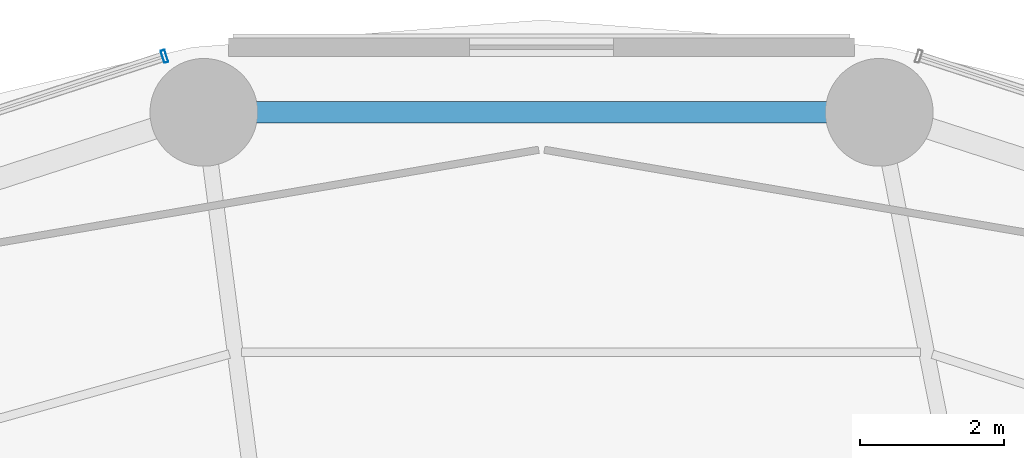
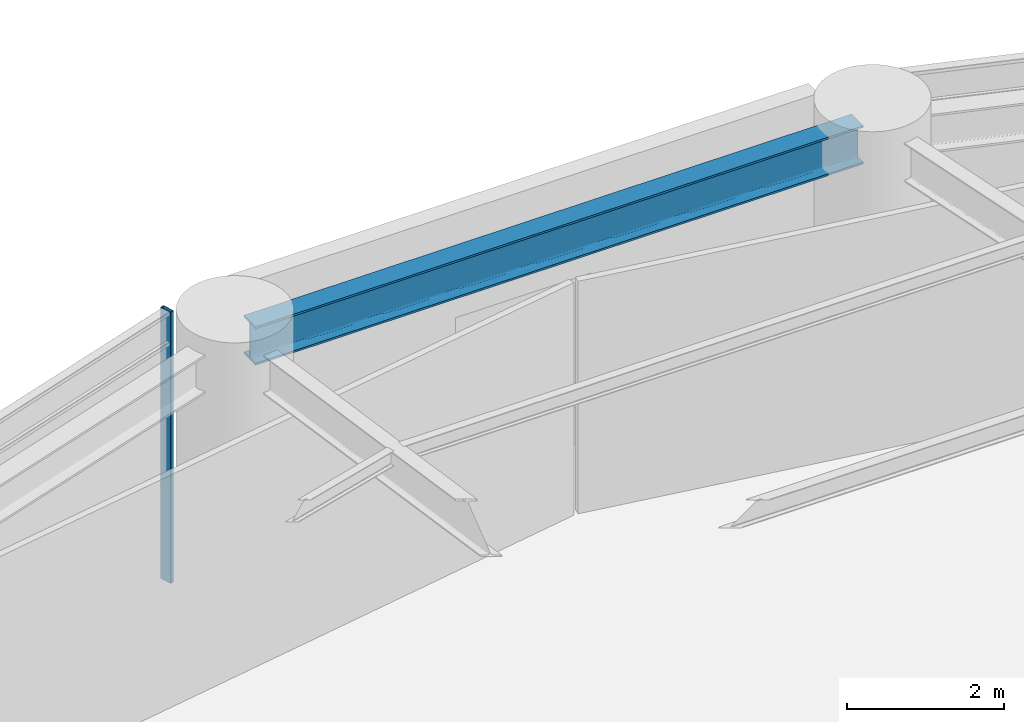
# One storey, part 28 of 46: 1 beam, 1 member, 1 element without a shape of its own.
"""IFC4 building model written with IfcOpenShell, lengths in metres."""

from ifc_helpers import new_model, si_unit, direction, frame, origin, origin_2d, place, context, subcontext, project, spatial, hollow_rectangle, i_section, extrude, material, layer, layer_set, material_profile, profile_set, type_object, element, aggregate, save


model = new_model("IFC4")

# Units and contexts
model_context = context("Model", 3, precision=1e-05, world=origin(), true_north=direction((0.0, 1.0)))
body_context = subcontext(model_context, "Body", "Model", "MODEL_VIEW")
ifc_project = project(units=[si_unit("LENGTHUNIT", "METRE"), si_unit("AREAUNIT", "SQUARE_METRE"), si_unit("VOLUMEUNIT", "CUBIC_METRE"), si_unit("PLANEANGLEUNIT", "RADIAN"), si_unit("MASSUNIT", "GRAM", prefix="KILO")], contexts=[model_context])

# Site, building, storey
site_placement = place(None, origin())
site = spatial("IfcSite", under=ifc_project, at=site_placement, CompositionType="ELEMENT")
building_placement = place(site_placement, origin())
building = spatial("IfcBuilding", under=site, at=building_placement, Name="Kelanora Arch Commons", CompositionType="ELEMENT")
storey_placement = place(building_placement, frame((0.0, 0.0, 18.0)))
storey = spatial("IfcBuildingStorey", under=building, at=storey_placement, Name="L04", CompositionType="ELEMENT", Elevation=18.0)

# Beam
ifc_material_1 = material(Name="Steel S355", Category="steel")
ifc_material_profile_1 = material_profile(ifc_material_1, i_section(OverallWidth=0.300048828125, OverallDepth=0.60009765625, WebThickness=0.015380859375, FlangeThickness=0.030029296875, FilletRadius=0.027099609375, at=origin_2d()), Name="HEB600")
ifc_profile_set_1 = profile_set([ifc_material_profile_1], Name="Steel S355")
beam_type = type_object("IfcBeamType", Name="BM-SPN-Z1", PredefinedType="SPANDREL", material=ifc_profile_set_1)
beam_placement = place(storey_placement, frame((78.482421875, 81.714111328125, 3.93994140625), z_axis=(-1.0, 0.0, 0.0), x_axis=(0.0, -1.0, 0.0)))
element("IfcBeam", 1, at=beam_placement, inside=storey, type_object=beam_type, Name="Perimeter Spandrel Beam BS-08 L04", PredefinedType="SPANDREL", context=body_context, shape_type="SweptSolid", body=[
    extrude(i_section(OverallWidth=0.300048828125, OverallDepth=0.60009765625, WebThickness=0.015380859375, FlangeThickness=0.030029296875, FilletRadius=0.027099609375, at=origin_2d()), origin(), (0.0, 0.0, 1.0), 8.96484375),
])

# Curtain wall, member
ifc_material_2 = material(Name="Terracotta ceramic-fritted low-E glass and aluminium", Category="masonry")
ifc_layer = layer(ifc_material_2, 0.2099609375)
ifc_layer_set = layer_set([ifc_layer], Name="Terracotta ceramic-fritted low-E glass and aluminium")
curtain_wall_type = type_object("IfcCurtainWallType", Name="CW-SYS-04", PredefinedType="NOTDEFINED", material=ifc_layer_set)
curtain_wall_placement = place(storey_placement, origin())
curtain_wall = element("IfcCurtainWall", 2, at=curtain_wall_placement, inside=storey, type_object=curtain_wall_type, Name="Unitised Curtain Wall L04-B05", PredefinedType="NOTDEFINED")
ifc_material_3 = material(Name="Powder-coated aluminium terracotta", Category="masonry")
ifc_material_profile_2 = material_profile(ifc_material_3, hollow_rectangle(XDim=0.179931640625, YDim=0.06005859375, WallThickness=0.0048828125, InnerFilletRadius=0.0048828125, OuterFilletRadius=0.010009765625, at=origin_2d()), Name="CWM180x60")
ifc_profile_set_2 = profile_set([ifc_material_profile_2], Name="Powder-coated aluminium terracotta")
member_type = type_object("IfcMemberType", Name="CWM-HVY", PredefinedType="MULLION", material=ifc_profile_set_2)
member_placement = place(storey_placement, frame((68.74853515625, 82.49365234375, 0.0), z_axis=(0.0, 0.0, 1.0), x_axis=(0.309069531911, -0.951039444211, 0.0)))
member = element("IfcMember", 3, at=member_placement, type_object=member_type, Name="CW-04 mullion 1", PredefinedType="MULLION", context=body_context, shape_type="SweptSolid", body=[
    extrude(hollow_rectangle(XDim=0.179931640625, YDim=0.06005859375, WallThickness=0.0048828125, InnerFilletRadius=0.0048828125, OuterFilletRadius=0.010009765625, at=origin_2d()), origin(), (0.0, 0.0, 1.0), 4.22509765625),
])
aggregate(curtain_wall, [member])

save(model, "model.ifc")
